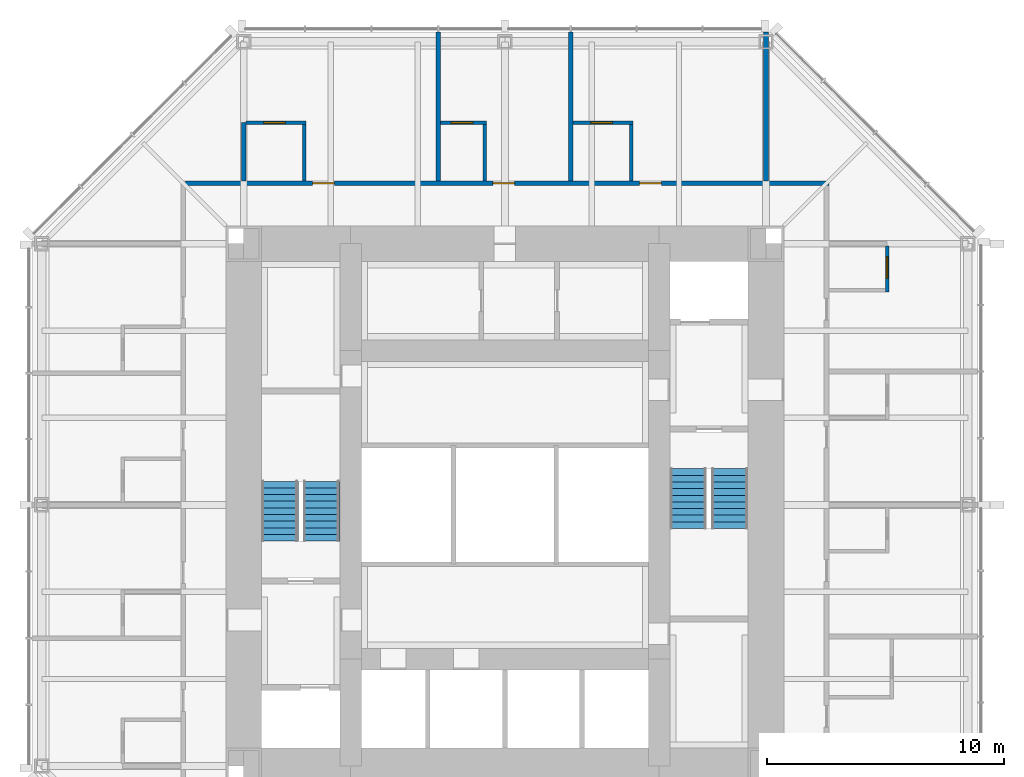
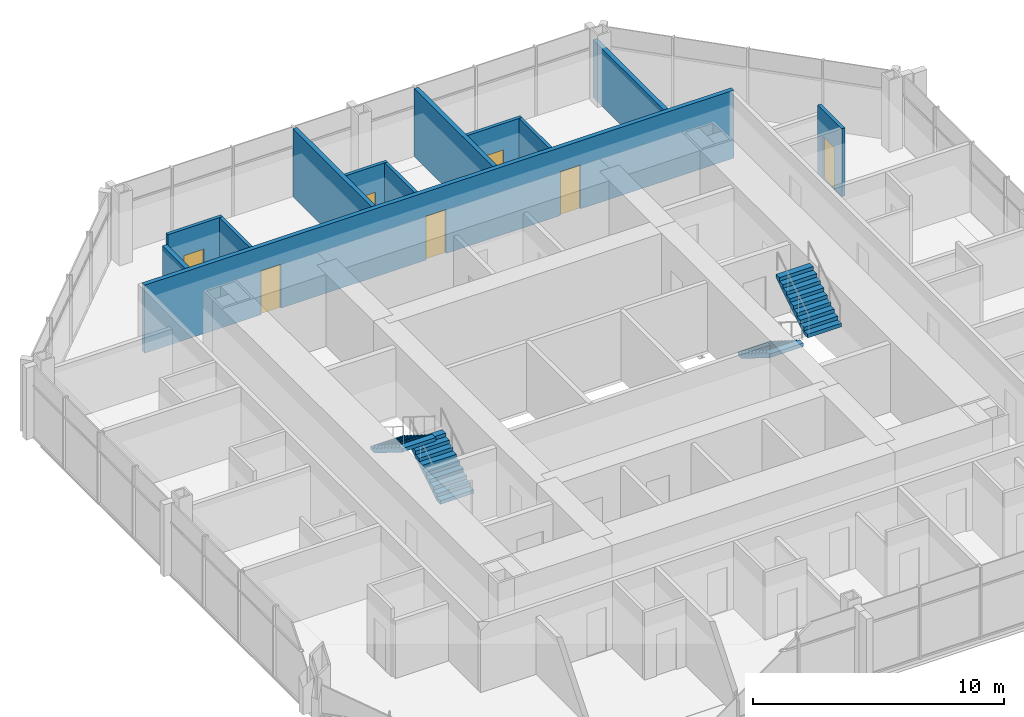
# One storey, part 10 of 12: 12 walls, 7 doors, 4 stair flights, 7 openings, 2 elements without a shape of their own.
"""IFC4 building model written with IfcOpenShell, lengths in metres."""

from ifc_helpers import new_model, si_unit, direction, frame, frame_2d, origin, place, context, subcontext, project, spatial, polyline, rectangle, outline, extrude, material, layer, layer_set, type_object, element, fill, aggregate, save


model = new_model("IFC4")

# Units and contexts
model_context = context("Model", 3, precision=1e-05, world=origin(), true_north=direction((0.0, 1.0)))
body_context = subcontext(model_context, "Body", "Model", "MODEL_VIEW")
ifc_project = project(units=[si_unit("LENGTHUNIT", "METRE"), si_unit("AREAUNIT", "SQUARE_METRE"), si_unit("VOLUMEUNIT", "CUBIC_METRE"), si_unit("PLANEANGLEUNIT", "RADIAN"), si_unit("MASSUNIT", "GRAM", prefix="KILO")], contexts=[model_context])

# Site, building, storey
site_placement = place(None, origin())
site = spatial("IfcSite", under=ifc_project, at=site_placement, CompositionType="ELEMENT")
building_placement = place(site_placement, origin())
building = spatial("IfcBuilding", under=site, at=building_placement, Name="Trevanion Tower", CompositionType="ELEMENT")
storey_placement = place(building_placement, frame((0.0, 0.0, 201.199951171875)))
storey = spatial("IfcBuildingStorey", under=building, at=storey_placement, Name="L47", CompositionType="ELEMENT", Elevation=201.199951171875)

# Wall, opening, door
ifc_material_1 = material(Name="Gypsum board on steel studs", Category="steel")
ifc_layer_1 = layer(ifc_material_1, 0.14990234375)
ifc_layer_set_1 = layer_set([ifc_layer_1], Name="PT1 partition 150")
wall_type_1 = type_object("IfcWallType", Name="PT1 partition 150", PredefinedType="PARTITIONING", material=ifc_layer_set_1)
wall_1_placement = place(storey_placement, frame((16.10009765625, 8.97509765625, 0.0), z_axis=(0.0, 0.0, 1.0), x_axis=(0.0, 1.0, 0.0)))
wall_1 = element("IfcWall", 1, at=wall_1_placement, inside=storey, type_object=wall_type_1, Name="PT1 L47 BA03", PredefinedType="PARTITIONING", context=body_context, shape_type="SweptSolid", body=[
    extrude(rectangle(XDim=1.9248046875, YDim=0.14990234375, at=frame_2d((0.96240234375, 0.0))), origin(), (0.0, 0.0, 1.0), 3.31005859375),
])
opening_1_placement = place(wall_1_placement, frame((0.5673828125, 0.0, 0.0)))
opening_1 = element("IfcOpeningElement", 2, at=opening_1_placement, cuts=wall_1, Name="Opening 47-022", PredefinedType="OPENING", context=body_context, shape_type="SweptSolid", body=[
    extrude(rectangle(XDim=0.9150390625, YDim=2.031982421875, at=frame_2d((0.45751953125, 1.01611328125))), frame((0.0, 0.0849609375, 0.0), z_axis=(0.0, -1.0, 0.0), x_axis=(1.0, 0.0, 0.0)), (0.0, 0.0, 1.0), 0.169921875),
])
ifc_material_2 = material(Name="Timber veneer", Category="wood")
door_type_1 = type_object("IfcDoorType", Name="D7 bathroom door", OperationType="SINGLE_SWING_LEFT", PredefinedType="DOOR", material=ifc_material_2)
door_1_placement = place(opening_1_placement, origin())
door_1 = element("IfcDoor", 3, at=door_1_placement, inside=storey, type_object=door_type_1, Name="Door 47-022", OperationType="SINGLE_SWING_LEFT", OverallHeight=2.031982421875, OverallWidth=0.9150390625, PredefinedType="DOOR", context=body_context, shape_type="SweptSolid", body=[
    extrude(rectangle(XDim=0.9150390625, YDim=2.031982421875, at=frame_2d((0.45751953125, 1.01611328125))), frame((0.0, 0.02490234375, 0.0), z_axis=(0.0, -1.0, 0.0), x_axis=(1.0, 0.0, 0.0)), (0.0, 0.0, 1.0), 0.050048828125),
])
fill(opening_1, door_1)

wall_2_placement = place(storey_placement, frame((5.39990234375, 16.10009765625, 0.0), z_axis=(0.0, 0.0, 1.0), x_axis=(-1.0, 0.0, 0.0)))
wall_2 = element("IfcWall", 4, at=wall_2_placement, inside=storey, type_object=wall_type_1, Name="PT1 L47 BA10", PredefinedType="PARTITIONING", context=body_context, shape_type="SweptSolid", body=[
    extrude(rectangle(XDim=2.52490234375, YDim=0.14990234375, at=frame_2d((1.262451171875, 0.0))), origin(), (0.0, 0.0, 1.0), 3.31005859375),
])
opening_2_placement = place(wall_2_placement, frame((0.867431640625, 0.0, 0.0)))
opening_2 = element("IfcOpeningElement", 5, at=opening_2_placement, cuts=wall_2, Name="Opening 47-024", PredefinedType="OPENING", context=body_context, shape_type="SweptSolid", body=[
    extrude(rectangle(XDim=0.9150390625, YDim=2.031982421875, at=frame_2d((0.45751953125, 1.01611328125))), frame((0.0, 0.0849609375, 0.0), z_axis=(0.0, -1.0, 0.0), x_axis=(1.0, 0.0, 0.0)), (0.0, 0.0, 1.0), 0.169921875),
])
door_2_placement = place(opening_2_placement, origin())
door_2 = element("IfcDoor", 6, at=door_2_placement, inside=storey, type_object=door_type_1, Name="Door 47-024", OperationType="SINGLE_SWING_LEFT", OverallHeight=2.031982421875, OverallWidth=0.9150390625, PredefinedType="DOOR", context=body_context, shape_type="SweptSolid", body=[
    extrude(rectangle(XDim=0.9150390625, YDim=2.031982421875, at=frame_2d((0.45751953125, 1.01611328125))), frame((0.0, 0.02490234375, 0.0), z_axis=(0.0, -1.0, 0.0), x_axis=(1.0, 0.0, 0.0)), (0.0, 0.0, 1.0), 0.050048828125),
])
fill(opening_2, door_2)

# Wall
wall_3_placement = place(storey_placement, frame((5.324951171875, 13.64990234375, 0.0), z_axis=(0.0, 0.0, 1.0), x_axis=(0.0, 1.0, 0.0)))
element("IfcWall", 7, at=wall_3_placement, inside=storey, type_object=wall_type_1, Name="PT1 L47 BB10", PredefinedType="PARTITIONING", context=body_context, shape_type="SweptSolid", body=[
    extrude(rectangle(XDim=2.375, YDim=0.14990234375, at=frame_2d((1.1875, 0.0))), origin(), (0.0, 0.0, 1.0), 3.31005859375),
])

# Wall, opening, door
wall_4_placement = place(storey_placement, frame((-0.781982421875, 16.10009765625, 0.0), z_axis=(0.0, 0.0, 1.0), x_axis=(-1.0, 0.0, 0.0)))
wall_4 = element("IfcWall", 8, at=wall_4_placement, inside=storey, type_object=wall_type_1, Name="PT1 L47 BA11", PredefinedType="PARTITIONING", context=body_context, shape_type="SweptSolid", body=[
    extrude(rectangle(XDim=1.925048828125, YDim=0.14990234375, at=frame_2d((0.96240234375, 0.0))), origin(), (0.0, 0.0, 1.0), 3.31005859375),
])
opening_3_placement = place(wall_4_placement, frame((0.5673828125, 0.0, 0.0)))
opening_3 = element("IfcOpeningElement", 9, at=opening_3_placement, cuts=wall_4, Name="Opening 47-026", PredefinedType="OPENING", context=body_context, shape_type="SweptSolid", body=[
    extrude(rectangle(XDim=0.9150390625, YDim=2.031982421875, at=frame_2d((0.45751953125, 1.01611328125))), frame((0.0, 0.0849609375, 0.0), z_axis=(0.0, -1.0, 0.0), x_axis=(1.0, 0.0, 0.0)), (0.0, 0.0, 1.0), 0.169921875),
])
door_3_placement = place(opening_3_placement, origin())
door_3 = element("IfcDoor", 10, at=door_3_placement, inside=storey, type_object=door_type_1, Name="Door 47-026", OperationType="SINGLE_SWING_LEFT", OverallHeight=2.031982421875, OverallWidth=0.9150390625, PredefinedType="DOOR", context=body_context, shape_type="SweptSolid", body=[
    extrude(rectangle(XDim=0.9150390625, YDim=2.031982421875, at=frame_2d((0.45751953125, 1.01611328125))), frame((0.0, 0.02490234375, 0.0), z_axis=(0.0, -1.0, 0.0), x_axis=(1.0, 0.0, 0.0)), (0.0, 0.0, 1.0), 0.050048828125),
])
fill(opening_3, door_3)

# Wall
wall_5_placement = place(storey_placement, frame((-0.85693359375, 13.64990234375, 0.0), z_axis=(0.0, 0.0, 1.0), x_axis=(0.0, 1.0, 0.0)))
element("IfcWall", 11, at=wall_5_placement, inside=storey, type_object=wall_type_1, Name="PT1 L47 BB11", PredefinedType="PARTITIONING", context=body_context, shape_type="SweptSolid", body=[
    extrude(rectangle(XDim=2.375, YDim=0.14990234375, at=frame_2d((1.1875, 0.0))), origin(), (0.0, 0.0, 1.0), 3.31005859375),
])

# Wall, opening, door
wall_6_placement = place(storey_placement, frame((-8.375, 16.10009765625, 0.0), z_axis=(0.0, 0.0, 1.0), x_axis=(-1.0, 0.0, 0.0)))
wall_6 = element("IfcWall", 12, at=wall_6_placement, inside=storey, type_object=wall_type_1, Name="PT1 L47 BA12", PredefinedType="PARTITIONING", context=body_context, shape_type="SweptSolid", body=[
    extrude(rectangle(XDim=2.52490234375, YDim=0.14990234375, at=frame_2d((1.262451171875, 0.0))), origin(), (0.0, 0.0, 1.0), 3.31005859375),
])
opening_4_placement = place(wall_6_placement, frame((0.867431640625, 0.0, 0.0)))
opening_4 = element("IfcOpeningElement", 13, at=opening_4_placement, cuts=wall_6, Name="Opening 47-028", PredefinedType="OPENING", context=body_context, shape_type="SweptSolid", body=[
    extrude(rectangle(XDim=0.9150390625, YDim=2.031982421875, at=frame_2d((0.45751953125, 1.01611328125))), frame((0.0, 0.0849609375, 0.0), z_axis=(0.0, -1.0, 0.0), x_axis=(1.0, 0.0, 0.0)), (0.0, 0.0, 1.0), 0.169921875),
])
door_4_placement = place(opening_4_placement, origin())
door_4 = element("IfcDoor", 14, at=door_4_placement, inside=storey, type_object=door_type_1, Name="Door 47-028", OperationType="SINGLE_SWING_LEFT", OverallHeight=2.031982421875, OverallWidth=0.9150390625, PredefinedType="DOOR", context=body_context, shape_type="SweptSolid", body=[
    extrude(rectangle(XDim=0.9150390625, YDim=2.031982421875, at=frame_2d((0.45751953125, 1.01611328125))), frame((0.0, 0.02490234375, 0.0), z_axis=(0.0, -1.0, 0.0), x_axis=(1.0, 0.0, 0.0)), (0.0, 0.0, 1.0), 0.050048828125),
])
fill(opening_4, door_4)

# Wall
wall_7_placement = place(storey_placement, frame((-8.449951171875, 13.64990234375, 0.0), z_axis=(0.0, 0.0, 1.0), x_axis=(0.0, 1.0, 0.0)))
element("IfcWall", 15, at=wall_7_placement, inside=storey, type_object=wall_type_1, Name="PT1 L47 BB12", PredefinedType="PARTITIONING", context=body_context, shape_type="SweptSolid", body=[
    extrude(rectangle(XDim=2.375, YDim=0.14990234375, at=frame_2d((1.1875, 0.0))), origin(), (0.0, 0.0, 1.0), 3.31005859375),
])

# Wall, openings, doors
ifc_material_3 = material(Name="Concrete masonry, grouted", Category="masonry")
ifc_layer_2 = layer(ifc_material_3, 0.199951171875)
ifc_layer_set_2 = layer_set([ifc_layer_2], Name="PT2 partition 200 1 HR")
wall_type_2 = type_object("IfcWallType", Name="PT2 partition 200 1 HR", PredefinedType="PARTITIONING", material=ifc_layer_set_2)
wall_8_placement = place(storey_placement, frame((13.64990234375, 13.550048828125, 0.0), z_axis=(0.0, 0.0, 1.0), x_axis=(-1.0, 0.0, 0.0)))
wall_8 = element("IfcWall", 16, at=wall_8_placement, inside=storey, type_object=wall_type_2, Name="PT2 L47 HC1", PredefinedType="PARTITIONING", context=body_context, shape_type="SweptSolid", body=[
    extrude(rectangle(XDim=27.099853515625, YDim=0.199951171875, at=frame_2d((13.5498046875, 0.0))), origin(), (0.0, 0.0, 1.0), 3.31005859375),
])
opening_5_placement = place(wall_8_placement, frame((7.0576171875, 0.0, 0.0)))
opening_5 = element("IfcOpeningElement", 17, at=opening_5_placement, cuts=wall_8, Name="Opening 47-025", PredefinedType="OPENING", context=body_context, shape_type="SweptSolid", body=[
    extrude(rectangle(XDim=0.9150390625, YDim=2.134033203125, at=frame_2d((0.45751953125, 1.06689453125))), frame((0.0, 0.10986328125, 0.0), z_axis=(0.0, -1.0, 0.0), x_axis=(1.0, 0.0, 0.0)), (0.0, 0.0, 1.0), 0.219970703125),
])
opening_6_placement = place(wall_8_placement, frame((13.239501953125, 0.0, 0.0)))
opening_6 = element("IfcOpeningElement", 18, at=opening_6_placement, cuts=wall_8, Name="Opening 47-027", PredefinedType="OPENING", context=body_context, shape_type="SweptSolid", body=[
    extrude(rectangle(XDim=0.9150390625, YDim=2.134033203125, at=frame_2d((0.45751953125, 1.06689453125))), frame((0.0, 0.10986328125, 0.0), z_axis=(0.0, -1.0, 0.0), x_axis=(1.0, 0.0, 0.0)), (0.0, 0.0, 1.0), 0.219970703125),
])
opening_7_placement = place(wall_8_placement, frame((20.83251953125, 0.0, 0.0)))
opening_7 = element("IfcOpeningElement", 19, at=opening_7_placement, cuts=wall_8, Name="Opening 47-029", PredefinedType="OPENING", context=body_context, shape_type="SweptSolid", body=[
    extrude(rectangle(XDim=0.9150390625, YDim=2.134033203125, at=frame_2d((0.45751953125, 1.06689453125))), frame((0.0, 0.10986328125, 0.0), z_axis=(0.0, -1.0, 0.0), x_axis=(1.0, 0.0, 0.0)), (0.0, 0.0, 1.0), 0.219970703125),
])
ifc_material_4 = material(Name="Timber veneer, fire rated", Category="wood")
door_type_2 = type_object("IfcDoorType", Name="D6 guest room entrance door", OperationType="SINGLE_SWING_LEFT", PredefinedType="DOOR", material=ifc_material_4)
door_5_placement = place(opening_5_placement, origin())
door_5 = element("IfcDoor", 20, at=door_5_placement, inside=storey, type_object=door_type_2, Name="Door 47-025", OperationType="SINGLE_SWING_LEFT", OverallHeight=2.134033203125, OverallWidth=0.9150390625, PredefinedType="DOOR", context=body_context, shape_type="SweptSolid", body=[
    extrude(rectangle(XDim=0.9150390625, YDim=2.134033203125, at=frame_2d((0.45751953125, 1.06689453125))), frame((0.0, 0.02490234375, 0.0), z_axis=(0.0, -1.0, 0.0), x_axis=(1.0, 0.0, 0.0)), (0.0, 0.0, 1.0), 0.050048828125),
])
fill(opening_5, door_5)
door_6_placement = place(opening_6_placement, origin())
door_6 = element("IfcDoor", 21, at=door_6_placement, inside=storey, type_object=door_type_2, Name="Door 47-027", OperationType="SINGLE_SWING_LEFT", OverallHeight=2.134033203125, OverallWidth=0.9150390625, PredefinedType="DOOR", context=body_context, shape_type="SweptSolid", body=[
    extrude(rectangle(XDim=0.9150390625, YDim=2.134033203125, at=frame_2d((0.45751953125, 1.06689453125))), frame((0.0, 0.02490234375, 0.0), z_axis=(0.0, -1.0, 0.0), x_axis=(1.0, 0.0, 0.0)), (0.0, 0.0, 1.0), 0.050048828125),
])
fill(opening_6, door_6)
door_7_placement = place(opening_7_placement, origin())
door_7 = element("IfcDoor", 22, at=door_7_placement, inside=storey, type_object=door_type_2, Name="Door 47-029", OperationType="SINGLE_SWING_LEFT", OverallHeight=2.134033203125, OverallWidth=0.9150390625, PredefinedType="DOOR", context=body_context, shape_type="SweptSolid", body=[
    extrude(rectangle(XDim=0.9150390625, YDim=2.134033203125, at=frame_2d((0.45751953125, 1.06689453125))), frame((0.0, 0.02490234375, 0.0), z_axis=(0.0, -1.0, 0.0), x_axis=(1.0, 0.0, 0.0)), (0.0, 0.0, 1.0), 0.050048828125),
])
fill(opening_7, door_7)

# Walls
wall_9_placement = place(storey_placement, frame((11.0, 13.64990234375, 0.0), z_axis=(0.0, 0.0, 1.0), x_axis=(0.0, 1.0, 0.0)))
element("IfcWall", 23, at=wall_9_placement, inside=storey, type_object=wall_type_2, Name="PT2 L47 HD10", PredefinedType="PARTITIONING", context=body_context, shape_type="SweptSolid", body=[
    extrude(rectangle(XDim=6.26513671875, YDim=0.199951171875, at=frame_2d((3.132568359375, 0.0))), origin(), (0.0, 0.0, 1.0), 2.802001953125),
])
for number, where, z_axis, x_axis, name in (
    (24, (2.77490234375, 13.64990234375, 0.0), (0.0, 0.0, 1.0), (0.0, 1.0, 0.0), "PT2 L47 HD11"),
    (25, (-2.806884765625, 13.64990234375, 0.0), (0.0, 0.0, 1.0), (0.0, 1.0, 0.0), "PT2 L47 HD12"),
):
    element("IfcWall", number, at=place(storey_placement, frame(where, z_axis=z_axis, x_axis=x_axis)), inside=storey, type_object=wall_type_2, Name=name, PredefinedType="PARTITIONING", context=body_context, shape_type="SweptSolid", body=[
        extrude(rectangle(XDim=6.26513671875, YDim=0.199951171875, at=frame_2d((3.132568359375, 0.0))), origin(), (0.0, 0.0, 1.0), 3.31005859375),
    ])
wall_10_placement = place(storey_placement, frame((-11.0, 13.64990234375, 0.0), z_axis=(0.0, 0.0, 1.0), x_axis=(0.0, 1.0, 0.0)))
element("IfcWall", 26, at=wall_10_placement, inside=storey, type_object=wall_type_2, Name="PT2 L47 BC12", PredefinedType="PARTITIONING", context=body_context, shape_type="SweptSolid", body=[
    extrude(rectangle(XDim=2.4501953125, YDim=0.199951171875, at=frame_2d((1.22509765625, 0.0))), origin(), (0.0, 0.0, 1.0), 2.802001953125),
])

# Stair, stair flights
ifc_material_5 = material(Name="Concrete 5,000 psi on steel stringers", Category="concrete")
stair_type = type_object("IfcStairType", Name="ST stair", PredefinedType="HALF_TURN_STAIR", material=ifc_material_5)
stair_1_placement = place(storey_placement, origin())
stair_1 = element("IfcStair", 27, at=stair_1_placement, inside=storey, type_object=stair_type, Name="ST1 L47", PredefinedType="HALF_TURN_STAIR")
ifc_material_6 = material(Name="Concrete 5,000 psi in steel pan", Category="concrete")
stair_flight_type = type_object("IfcStairFlightType", Name="STF stair flight", PredefinedType="STRAIGHT", material=ifc_material_6)
stair_flight_1_placement = place(storey_placement, frame((7.72509765625, 1.52490234375, 0.0), z_axis=(0.0, 0.0, 1.0), x_axis=(0.0, -1.0, 0.0)))
stair_flight_1 = element("IfcStairFlight", 28, at=stair_flight_1_placement, type_object=stair_flight_type, Name="ST1 flight 1", NumberOfRisers=10, NumberOfTreads=9, PredefinedType="STRAIGHT", RiserHeight=0.175, TreadLength=0.28, context=body_context, shape_type="SweptSolid", body=[
    extrude(outline(polyline([(0.0, 0.0), (0.0, 0.175048828125), (0.280029296875, 0.175048828125), (0.280029296875, 0.35009765625), (0.56005859375, 0.35009765625), (0.56005859375, 0.52490234375), (0.840087890625, 0.52490234375), (0.840087890625, 0.699951171875), (1.1201171875, 0.699951171875), (1.1201171875, 0.875), (1.39990234375, 0.875), (1.39990234375, 1.050048828125), (1.679931640625, 1.050048828125), (1.679931640625, 1.22509765625), (1.9599609375, 1.22509765625), (1.9599609375, 1.39990234375), (2.239990234375, 1.39990234375), (2.239990234375, 1.574951171875), (2.52001953125, 1.574951171875), (2.52001953125, 1.75), (2.52001953125, 1.398193359375), (0.28271484375, 0.0), (0.0, 0.0)])), frame((0.0, 0.77490234375, 0.0), z_axis=(0.0, -1.0, 0.0), x_axis=(1.0, 0.0, 0.0)), (0.0, 0.0, 1.0), 1.550048828125),
])
stair_flight_2_placement = place(storey_placement, frame((9.47509765625, -0.9951171875, 1.75), z_axis=(0.0, 0.0, 1.0), x_axis=(0.0, 1.0, 0.0)))
stair_flight_2 = element("IfcStairFlight", 29, at=stair_flight_2_placement, type_object=stair_flight_type, Name="ST1 flight 2", NumberOfRisers=10, NumberOfTreads=9, PredefinedType="STRAIGHT", RiserHeight=0.175, TreadLength=0.28, context=body_context, shape_type="SweptSolid", body=[
    extrude(outline(polyline([(0.0, 0.0), (0.0, 0.175048828125), (0.280029296875, 0.175048828125), (0.280029296875, 0.35009765625), (0.56005859375, 0.35009765625), (0.56005859375, 0.52490234375), (0.840087890625, 0.52490234375), (0.840087890625, 0.699951171875), (1.1201171875, 0.699951171875), (1.1201171875, 0.875), (1.39990234375, 0.875), (1.39990234375, 1.050048828125), (1.679931640625, 1.050048828125), (1.679931640625, 1.22509765625), (1.9599609375, 1.22509765625), (1.9599609375, 1.39990234375), (2.239990234375, 1.39990234375), (2.239990234375, 1.574951171875), (2.52001953125, 1.574951171875), (2.52001953125, 1.75), (2.52001953125, 1.398193359375), (0.28271484375, 0.0), (0.0, 0.0)])), frame((0.0, 0.77490234375, 0.0), z_axis=(0.0, -1.0, 0.0), x_axis=(1.0, 0.0, 0.0)), (0.0, 0.0, 1.0), 1.550048828125),
])
aggregate(stair_1, [stair_flight_1, stair_flight_2])

stair_2_placement = place(storey_placement, origin())
stair_2 = element("IfcStair", 30, at=stair_2_placement, inside=storey, type_object=stair_type, Name="ST2 L47", PredefinedType="HALF_TURN_STAIR")
stair_flight_3_placement = place(storey_placement, frame((-7.72509765625, -1.52490234375, 0.0), z_axis=(0.0, 0.0, 1.0), x_axis=(0.0, 1.0, 0.0)))
stair_flight_3 = element("IfcStairFlight", 31, at=stair_flight_3_placement, type_object=stair_flight_type, Name="ST2 flight 1", NumberOfRisers=10, NumberOfTreads=9, PredefinedType="STRAIGHT", RiserHeight=0.175, TreadLength=0.28, context=body_context, shape_type="SweptSolid", body=[
    extrude(outline(polyline([(0.0, 0.0), (0.0, 0.175048828125), (0.280029296875, 0.175048828125), (0.280029296875, 0.35009765625), (0.56005859375, 0.35009765625), (0.56005859375, 0.52490234375), (0.840087890625, 0.52490234375), (0.840087890625, 0.699951171875), (1.1201171875, 0.699951171875), (1.1201171875, 0.875), (1.39990234375, 0.875), (1.39990234375, 1.050048828125), (1.679931640625, 1.050048828125), (1.679931640625, 1.22509765625), (1.9599609375, 1.22509765625), (1.9599609375, 1.39990234375), (2.239990234375, 1.39990234375), (2.239990234375, 1.574951171875), (2.52001953125, 1.574951171875), (2.52001953125, 1.75), (2.52001953125, 1.398193359375), (0.28271484375, 0.0), (0.0, 0.0)])), frame((0.0, 0.77490234375, 0.0), z_axis=(0.0, -1.0, 0.0), x_axis=(1.0, 0.0, 0.0)), (0.0, 0.0, 1.0), 1.550048828125),
])
stair_flight_4_placement = place(storey_placement, frame((-9.47509765625, 0.9951171875, 1.75), z_axis=(0.0, 0.0, 1.0), x_axis=(0.0, -1.0, 0.0)))
stair_flight_4 = element("IfcStairFlight", 32, at=stair_flight_4_placement, type_object=stair_flight_type, Name="ST2 flight 2", NumberOfRisers=10, NumberOfTreads=9, PredefinedType="STRAIGHT", RiserHeight=0.175, TreadLength=0.28, context=body_context, shape_type="SweptSolid", body=[
    extrude(outline(polyline([(0.0, 0.0), (0.0, 0.175048828125), (0.280029296875, 0.175048828125), (0.280029296875, 0.35009765625), (0.56005859375, 0.35009765625), (0.56005859375, 0.52490234375), (0.840087890625, 0.52490234375), (0.840087890625, 0.699951171875), (1.1201171875, 0.699951171875), (1.1201171875, 0.875), (1.39990234375, 0.875), (1.39990234375, 1.050048828125), (1.679931640625, 1.050048828125), (1.679931640625, 1.22509765625), (1.9599609375, 1.22509765625), (1.9599609375, 1.39990234375), (2.239990234375, 1.39990234375), (2.239990234375, 1.574951171875), (2.52001953125, 1.574951171875), (2.52001953125, 1.75), (2.52001953125, 1.398193359375), (0.28271484375, 0.0), (0.0, 0.0)])), frame((0.0, 0.77490234375, 0.0), z_axis=(0.0, -1.0, 0.0), x_axis=(1.0, 0.0, 0.0)), (0.0, 0.0, 1.0), 1.550048828125),
])
aggregate(stair_2, [stair_flight_3, stair_flight_4])

save(model, "model.ifc")
